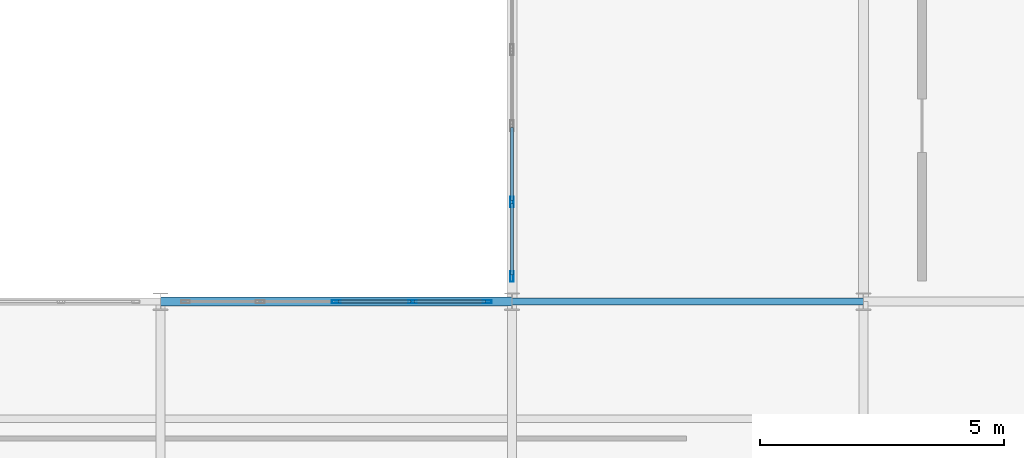
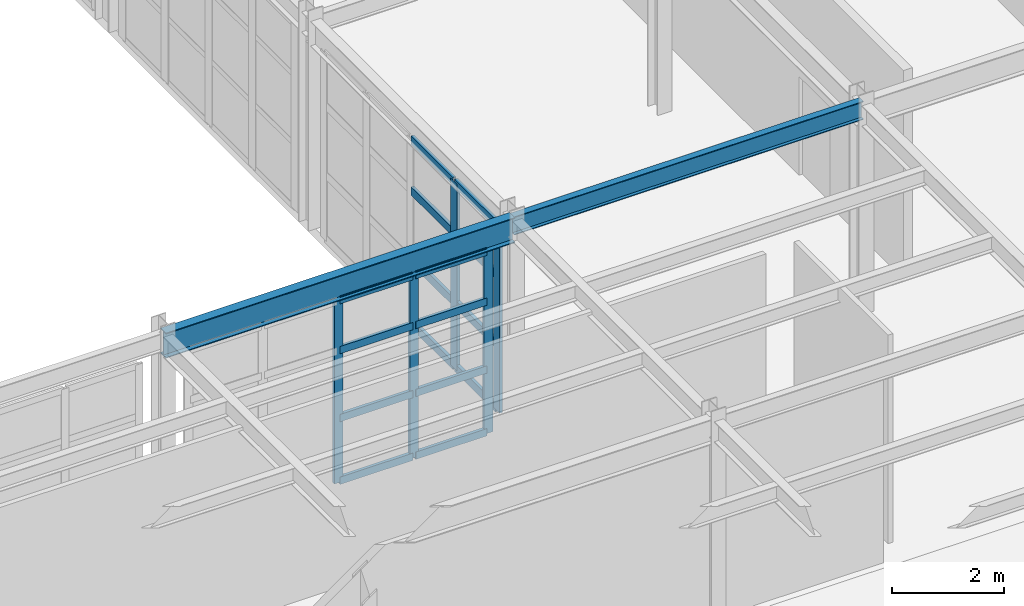
# One storey, part 33 of 121: 21 members, 2 beams, 2 elements without a shape of their own.
"""IFC4 building model written with IfcOpenShell, lengths in metres."""

from ifc_helpers import new_model, si_unit, direction, frame, origin, origin_2d, place, context, subcontext, project, spatial, hollow_rectangle, i_section, extrude, material, layer, layer_set, material_profile, profile_set, type_object, element, aggregate, save


model = new_model("IFC4")

# Units and contexts
model_context = context("Model", 3, precision=1e-05, world=origin(), true_north=direction((0.0, 1.0)))
body_context = subcontext(model_context, "Body", "Model", "MODEL_VIEW")
ifc_project = project(units=[si_unit("LENGTHUNIT", "METRE"), si_unit("AREAUNIT", "SQUARE_METRE"), si_unit("VOLUMEUNIT", "CUBIC_METRE"), si_unit("PLANEANGLEUNIT", "RADIAN"), si_unit("MASSUNIT", "GRAM", prefix="KILO")], contexts=[model_context])

# Site, building, storey
site_placement = place(None, origin())
site = spatial("IfcSite", under=ifc_project, at=site_placement, CompositionType="ELEMENT")
building_placement = place(site_placement, origin())
building = spatial("IfcBuilding", under=site, at=building_placement, Name="Solvadek Multi-Sports Hall", CompositionType="ELEMENT")
storey_placement = place(building_placement, frame((0.0, 0.0, 4.800048828125)))
storey = spatial("IfcBuildingStorey", under=building, at=storey_placement, Name="L01", CompositionType="ELEMENT", Elevation=4.800048828125)

# Curtain wall, members
ifc_material_1 = material(Name="Anodised aluminium", Category="aluminium")
ifc_layer_1 = layer(ifc_material_1, 0.159912109375, Name="Anodised aluminium")
ifc_layer_set_1 = layer_set([ifc_layer_1], Name="Anodised aluminium")
curtain_wall_type_1 = type_object("IfcCurtainWallType", Name="ENV-CW-624X400", PredefinedType="USERDEFINED", material=ifc_layer_set_1)
curtain_wall_1_placement = place(storey_placement, origin())
curtain_wall_1 = element("IfcCurtainWall", 1, at=curtain_wall_1_placement, inside=storey, type_object=curtain_wall_type_1, Name="L01 Perimeter Bay Curtain Wall #175", ObjectType="CURTAIN WALL", PredefinedType="USERDEFINED")
ifc_material_profile_1 = material_profile(ifc_material_1, hollow_rectangle(XDim=0.06005859375, YDim=0.179931640625, WallThickness=0.00390625, at=origin_2d()), Name="ALU-M 180x60x4")
ifc_profile_set_1 = profile_set([ifc_material_profile_1], Name="Anodised aluminium")
member_type_1 = type_object("IfcMemberType", Name="ENV-CWM-02", PredefinedType="MULLION", material=ifc_profile_set_1)
member_1_placement = place(storey_placement, frame((54.0, 20.39990234375, 0.0), z_axis=(0.0, 0.0, 1.0), x_axis=(0.0, 1.0, 0.0)))
member_1 = element("IfcMember", 2, at=member_1_placement, type_object=member_type_1, Name="CW-56 mullion 3", PredefinedType="MULLION", context=body_context, shape_type="SweptSolid", body=[
    extrude(hollow_rectangle(XDim=0.06005859375, YDim=0.179931640625, WallThickness=0.00390625, at=origin_2d()), origin(), (0.0, 0.0, 1.0), 4.0),
])
member_2_placement = place(storey_placement, frame((55.56005859375, 20.39990234375, 0.0), z_axis=(0.0, 0.0, 1.0), x_axis=(0.0, 1.0, 0.0)))
member_2 = element("IfcMember", 3, at=member_2_placement, type_object=member_type_1, Name="CW-56 mullion 4", PredefinedType="MULLION", context=body_context, shape_type="SweptSolid", body=[
    extrude(hollow_rectangle(XDim=0.06005859375, YDim=0.179931640625, WallThickness=0.00390625, at=origin_2d()), origin(), (0.0, 0.0, 1.0), 4.0),
])
member_3_placement = place(storey_placement, frame((57.090087890625, 20.39990234375, 0.0), z_axis=(0.0, 0.0, 1.0), x_axis=(0.0, 1.0, 0.0)))
member_3 = element("IfcMember", 4, at=member_3_placement, type_object=member_type_1, Name="CW-56 mullion 5", PredefinedType="MULLION", context=body_context, shape_type="SweptSolid", body=[
    extrude(hollow_rectangle(XDim=0.06005859375, YDim=0.179931640625, WallThickness=0.00390625, at=origin_2d()), origin(), (0.0, 0.0, 1.0), 4.0),
])

ifc_layer_2 = layer(ifc_material_1, 0.159912109375, Name="Anodised aluminium")
ifc_layer_set_2 = layer_set([ifc_layer_2], Name="Anodised aluminium")
curtain_wall_type_2 = type_object("IfcCurtainWallType", Name="ENV-CW-624X408", PredefinedType="USERDEFINED", material=ifc_layer_set_2)
curtain_wall_2_placement = place(storey_placement, origin())
curtain_wall_2 = element("IfcCurtainWall", 5, at=curtain_wall_2_placement, inside=storey, type_object=curtain_wall_type_2, Name="L01 Perimeter Bay Curtain Wall #184", ObjectType="CURTAIN WALL", PredefinedType="USERDEFINED")
ifc_material_profile_2 = material_profile(ifc_material_1, hollow_rectangle(XDim=0.06494140625, YDim=0.219970703125, WallThickness=0.0048828125, at=origin_2d()), Name="ALU-M 220x65x5")
ifc_profile_set_2 = profile_set([ifc_material_profile_2], Name="Anodised aluminium")
member_type_2 = type_object("IfcMemberType", Name="ENV-CWM-04", PredefinedType="MULLION", material=ifc_profile_set_2)
member_4_placement = place(storey_placement, frame((57.60009765625, 20.91259765625, 0.0), z_axis=(0.0, 0.0, 1.0), x_axis=(-1.0, 0.0, 0.0)))
member_4 = element("IfcMember", 6, at=member_4_placement, type_object=member_type_2, Name="CW-40 mullion 1", PredefinedType="MULLION", context=body_context, shape_type="SweptSolid", body=[
    extrude(hollow_rectangle(XDim=0.06494140625, YDim=0.219970703125, WallThickness=0.0048828125, at=origin_2d()), origin(), (0.0, 0.0, 1.0), 4.074951171875),
])
member_5_placement = place(storey_placement, frame((57.60009765625, 22.43994140625, 0.0), z_axis=(0.0, 0.0, 1.0), x_axis=(-1.0, 0.0, 0.0)))
member_5 = element("IfcMember", 7, at=member_5_placement, type_object=member_type_2, Name="CW-40 mullion 2", PredefinedType="MULLION", context=body_context, shape_type="SweptSolid", body=[
    extrude(hollow_rectangle(XDim=0.06494140625, YDim=0.219970703125, WallThickness=0.0048828125, at=origin_2d()), origin(), (0.0, 0.0, 1.0), 4.074951171875),
])

# Member
ifc_material_profile_3 = material_profile(ifc_material_1, hollow_rectangle(XDim=0.06494140625, YDim=0.159912109375, WallThickness=0.00390625, at=origin_2d()), Name="ALU-T 160x65x4")
ifc_profile_set_3 = profile_set([ifc_material_profile_3], Name="Anodised aluminium")
member_type_3 = type_object("IfcMemberType", Name="ENV-CWT-03", PredefinedType="USERDEFINED", material=ifc_profile_set_3)
member_6_placement = place(storey_placement, frame((54.030029296875, 20.39990234375, 0.032470703125), z_axis=(1.0, 0.0, 0.0), x_axis=(0.0, 1.0, 0.0)))
member_6 = element("IfcMember", 8, at=member_6_placement, type_object=member_type_3, Name="CW-56 transom 3.1", ObjectType="TRANSOM", PredefinedType="USERDEFINED", context=body_context, shape_type="SweptSolid", body=[
    extrude(hollow_rectangle(XDim=0.06494140625, YDim=0.159912109375, WallThickness=0.00390625, at=origin_2d()), origin(), (0.0, 0.0, 1.0), 1.5),
])

member_7_placement = place(storey_placement, frame((54.030029296875, 20.39990234375, 1.39990234375), z_axis=(1.0, 0.0, 0.0), x_axis=(0.0, 1.0, 0.0)))
member_7 = element("IfcMember", 9, at=member_7_placement, type_object=member_type_3, Name="CW-56 transom 3.2", ObjectType="TRANSOM", PredefinedType="USERDEFINED", context=body_context, shape_type="SweptSolid", body=[
    extrude(hollow_rectangle(XDim=0.06494140625, YDim=0.159912109375, WallThickness=0.00390625, at=origin_2d()), origin(), (0.0, 0.0, 1.0), 1.5),
])

member_8_placement = place(storey_placement, frame((54.030029296875, 20.39990234375, 2.8798828125), z_axis=(1.0, 0.0, 0.0), x_axis=(0.0, 1.0, 0.0)))
member_8 = element("IfcMember", 10, at=member_8_placement, type_object=member_type_3, Name="CW-56 transom 3.3", ObjectType="TRANSOM", PredefinedType="USERDEFINED", context=body_context, shape_type="SweptSolid", body=[
    extrude(hollow_rectangle(XDim=0.06494140625, YDim=0.159912109375, WallThickness=0.00390625, at=origin_2d()), origin(), (0.0, 0.0, 1.0), 1.5),
])

member_9_placement = place(storey_placement, frame((54.030029296875, 20.39990234375, 3.967529296875), z_axis=(1.0, 0.0, 0.0), x_axis=(0.0, 1.0, 0.0)))
member_9 = element("IfcMember", 11, at=member_9_placement, type_object=member_type_3, Name="CW-56 transom 3.4", ObjectType="TRANSOM", PredefinedType="USERDEFINED", context=body_context, shape_type="SweptSolid", body=[
    extrude(hollow_rectangle(XDim=0.06494140625, YDim=0.159912109375, WallThickness=0.00390625, at=origin_2d()), origin(), (0.0, 0.0, 1.0), 1.5),
])

member_10_placement = place(storey_placement, frame((55.590087890625, 20.39990234375, 0.032470703125), z_axis=(1.0, 0.0, 0.0), x_axis=(0.0, 1.0, 0.0)))
member_10 = element("IfcMember", 12, at=member_10_placement, type_object=member_type_3, Name="CW-56 transom 4.1", ObjectType="TRANSOM", PredefinedType="USERDEFINED", context=body_context, shape_type="SweptSolid", body=[
    extrude(hollow_rectangle(XDim=0.06494140625, YDim=0.159912109375, WallThickness=0.00390625, at=origin_2d()), origin(), (0.0, 0.0, 1.0), 1.469970703125),
])

member_11_placement = place(storey_placement, frame((55.590087890625, 20.39990234375, 1.39990234375), z_axis=(1.0, 0.0, 0.0), x_axis=(0.0, 1.0, 0.0)))
member_11 = element("IfcMember", 13, at=member_11_placement, type_object=member_type_3, Name="CW-56 transom 4.2", ObjectType="TRANSOM", PredefinedType="USERDEFINED", context=body_context, shape_type="SweptSolid", body=[
    extrude(hollow_rectangle(XDim=0.06494140625, YDim=0.159912109375, WallThickness=0.00390625, at=origin_2d()), origin(), (0.0, 0.0, 1.0), 1.469970703125),
])

member_12_placement = place(storey_placement, frame((55.590087890625, 20.39990234375, 2.8798828125), z_axis=(1.0, 0.0, 0.0), x_axis=(0.0, 1.0, 0.0)))
member_12 = element("IfcMember", 14, at=member_12_placement, type_object=member_type_3, Name="CW-56 transom 4.3", ObjectType="TRANSOM", PredefinedType="USERDEFINED", context=body_context, shape_type="SweptSolid", body=[
    extrude(hollow_rectangle(XDim=0.06494140625, YDim=0.159912109375, WallThickness=0.00390625, at=origin_2d()), origin(), (0.0, 0.0, 1.0), 1.469970703125),
])

member_13_placement = place(storey_placement, frame((55.590087890625, 20.39990234375, 3.967529296875), z_axis=(1.0, 0.0, 0.0), x_axis=(0.0, 1.0, 0.0)))
member_13 = element("IfcMember", 15, at=member_13_placement, type_object=member_type_3, Name="CW-56 transom 4.4", ObjectType="TRANSOM", PredefinedType="USERDEFINED", context=body_context, shape_type="SweptSolid", body=[
    extrude(hollow_rectangle(XDim=0.06494140625, YDim=0.159912109375, WallThickness=0.00390625, at=origin_2d()), origin(), (0.0, 0.0, 1.0), 1.469970703125),
])

aggregate(curtain_wall_1, [member_1, member_2, member_3, member_6, member_7, member_8, member_9, member_10, member_11, member_12, member_13])

ifc_material_profile_4 = material_profile(ifc_material_1, hollow_rectangle(XDim=0.06494140625, YDim=0.179931640625, WallThickness=0.0048828125, at=origin_2d()), Name="ALU-T 180x65x5")
ifc_profile_set_4 = profile_set([ifc_material_profile_4], Name="Anodised aluminium")
member_type_4 = type_object("IfcMemberType", Name="ENV-CWT-04", PredefinedType="USERDEFINED", material=ifc_profile_set_4)
member_14_placement = place(storey_placement, frame((57.60009765625, 20.945068359375, 0.032470703125), z_axis=(0.0, 1.0, 0.0), x_axis=(-1.0, 0.0, 0.0)))
member_14 = element("IfcMember", 16, at=member_14_placement, type_object=member_type_4, Name="CW-40 transom 1.1", ObjectType="TRANSOM", PredefinedType="USERDEFINED", context=body_context, shape_type="SweptSolid", body=[
    extrude(hollow_rectangle(XDim=0.06494140625, YDim=0.179931640625, WallThickness=0.0048828125, at=origin_2d()), origin(), (0.0, 0.0, 1.0), 1.46240234375),
])

member_15_placement = place(storey_placement, frame((57.60009765625, 20.945068359375, 1.426025390625), z_axis=(0.0, 1.0, 0.0), x_axis=(-1.0, 0.0, 0.0)))
member_15 = element("IfcMember", 17, at=member_15_placement, type_object=member_type_4, Name="CW-40 transom 1.2", ObjectType="TRANSOM", PredefinedType="USERDEFINED", context=body_context, shape_type="SweptSolid", body=[
    extrude(hollow_rectangle(XDim=0.06494140625, YDim=0.179931640625, WallThickness=0.0048828125, at=origin_2d()), origin(), (0.0, 0.0, 1.0), 1.46240234375),
])

member_16_placement = place(storey_placement, frame((57.60009765625, 20.945068359375, 2.933837890625), z_axis=(0.0, 1.0, 0.0), x_axis=(-1.0, 0.0, 0.0)))
member_16 = element("IfcMember", 18, at=member_16_placement, type_object=member_type_4, Name="CW-40 transom 1.3", ObjectType="TRANSOM", PredefinedType="USERDEFINED", context=body_context, shape_type="SweptSolid", body=[
    extrude(hollow_rectangle(XDim=0.06494140625, YDim=0.179931640625, WallThickness=0.0048828125, at=origin_2d()), origin(), (0.0, 0.0, 1.0), 1.46240234375),
])

member_17_placement = place(storey_placement, frame((57.60009765625, 20.945068359375, 4.04248046875), z_axis=(0.0, 1.0, 0.0), x_axis=(-1.0, 0.0, 0.0)))
member_17 = element("IfcMember", 19, at=member_17_placement, type_object=member_type_4, Name="CW-40 transom 1.4", ObjectType="TRANSOM", PredefinedType="USERDEFINED", context=body_context, shape_type="SweptSolid", body=[
    extrude(hollow_rectangle(XDim=0.06494140625, YDim=0.179931640625, WallThickness=0.0048828125, at=origin_2d()), origin(), (0.0, 0.0, 1.0), 1.46240234375),
])

member_18_placement = place(storey_placement, frame((57.60009765625, 22.472412109375, 0.032470703125), z_axis=(0.0, 1.0, 0.0), x_axis=(-1.0, 0.0, 0.0)))
member_18 = element("IfcMember", 20, at=member_18_placement, type_object=member_type_4, Name="CW-40 transom 2.1", ObjectType="TRANSOM", PredefinedType="USERDEFINED", context=body_context, shape_type="SweptSolid", body=[
    extrude(hollow_rectangle(XDim=0.06494140625, YDim=0.179931640625, WallThickness=0.0048828125, at=origin_2d()), origin(), (0.0, 0.0, 1.0), 1.4951171875),
])

member_19_placement = place(storey_placement, frame((57.60009765625, 22.472412109375, 1.426025390625), z_axis=(0.0, 1.0, 0.0), x_axis=(-1.0, 0.0, 0.0)))
member_19 = element("IfcMember", 21, at=member_19_placement, type_object=member_type_4, Name="CW-40 transom 2.2", ObjectType="TRANSOM", PredefinedType="USERDEFINED", context=body_context, shape_type="SweptSolid", body=[
    extrude(hollow_rectangle(XDim=0.06494140625, YDim=0.179931640625, WallThickness=0.0048828125, at=origin_2d()), origin(), (0.0, 0.0, 1.0), 1.4951171875),
])

member_20_placement = place(storey_placement, frame((57.60009765625, 22.472412109375, 2.933837890625), z_axis=(0.0, 1.0, 0.0), x_axis=(-1.0, 0.0, 0.0)))
member_20 = element("IfcMember", 22, at=member_20_placement, type_object=member_type_4, Name="CW-40 transom 2.3", ObjectType="TRANSOM", PredefinedType="USERDEFINED", context=body_context, shape_type="SweptSolid", body=[
    extrude(hollow_rectangle(XDim=0.06494140625, YDim=0.179931640625, WallThickness=0.0048828125, at=origin_2d()), origin(), (0.0, 0.0, 1.0), 1.4951171875),
])

member_21_placement = place(storey_placement, frame((57.60009765625, 22.472412109375, 4.04248046875), z_axis=(0.0, 1.0, 0.0), x_axis=(-1.0, 0.0, 0.0)))
member_21 = element("IfcMember", 23, at=member_21_placement, type_object=member_type_4, Name="CW-40 transom 2.4", ObjectType="TRANSOM", PredefinedType="USERDEFINED", context=body_context, shape_type="SweptSolid", body=[
    extrude(hollow_rectangle(XDim=0.06494140625, YDim=0.179931640625, WallThickness=0.0048828125, at=origin_2d()), origin(), (0.0, 0.0, 1.0), 1.4951171875),
])

aggregate(curtain_wall_2, [member_4, member_5, member_14, member_15, member_16, member_17, member_18, member_19, member_20, member_21])

# Beams
ifc_material_2 = material(Name="Steel E350 (350 MPa)", Category="steel")
ifc_material_profile_5 = material_profile(ifc_material_2, i_section(OverallWidth=0.139892578125, OverallDepth=0.39990234375, WebThickness=0.0087890625, FlangeThickness=0.01611328125, at=origin_2d()), Name="ISMB 400")
ifc_profile_set_5 = profile_set([ifc_material_profile_5], Name="Steel E350 (350 MPa)")
beam_type_1 = type_object("IfcBeamType", Name="STR-BM-ISMB400", PredefinedType="BEAM", material=ifc_profile_set_5)
beam_1_placement = place(storey_placement, frame((57.60009765625, 20.39990234375, 4.35986328125), z_axis=(1.0, 0.0, 0.0), x_axis=(0.0, 1.0, 0.0)))
element("IfcBeam", 24, at=beam_1_placement, inside=storey, type_object=beam_type_1, Name="L01 Girder B-10 #976", PredefinedType="BEAM", context=body_context, shape_type="SweptSolid", body=[
    extrude(i_section(OverallWidth=0.139892578125, OverallDepth=0.39990234375, WebThickness=0.0087890625, FlangeThickness=0.01611328125, at=origin_2d()), origin(), (0.0, 0.0, 1.0), 7.199951171875),
])
ifc_material_profile_6 = material_profile(ifc_material_2, i_section(OverallWidth=0.18994140625, OverallDepth=0.550048828125, WebThickness=0.01123046875, FlangeThickness=0.019287109375, at=origin_2d()), Name="ISMB 550")
ifc_profile_set_6 = profile_set([ifc_material_profile_6], Name="Steel E350 (350 MPa)")
beam_type_2 = type_object("IfcBeamType", Name="STR-BM-ISMB550", PredefinedType="BEAM", material=ifc_profile_set_6)
beam_2_placement = place(storey_placement, frame((50.39990234375, 20.39990234375, 4.284912109375), z_axis=(1.0, 0.0, 0.0), x_axis=(0.0, 1.0, 0.0)))
element("IfcBeam", 25, at=beam_2_placement, inside=storey, type_object=beam_type_2, Name="L01 Girder B-06 #975", PredefinedType="BEAM", context=body_context, shape_type="SweptSolid", body=[
    extrude(i_section(OverallWidth=0.18994140625, OverallDepth=0.550048828125, WebThickness=0.01123046875, FlangeThickness=0.019287109375, at=origin_2d()), origin(), (0.0, 0.0, 1.0), 7.2001953125),
])

save(model, "model.ifc")
